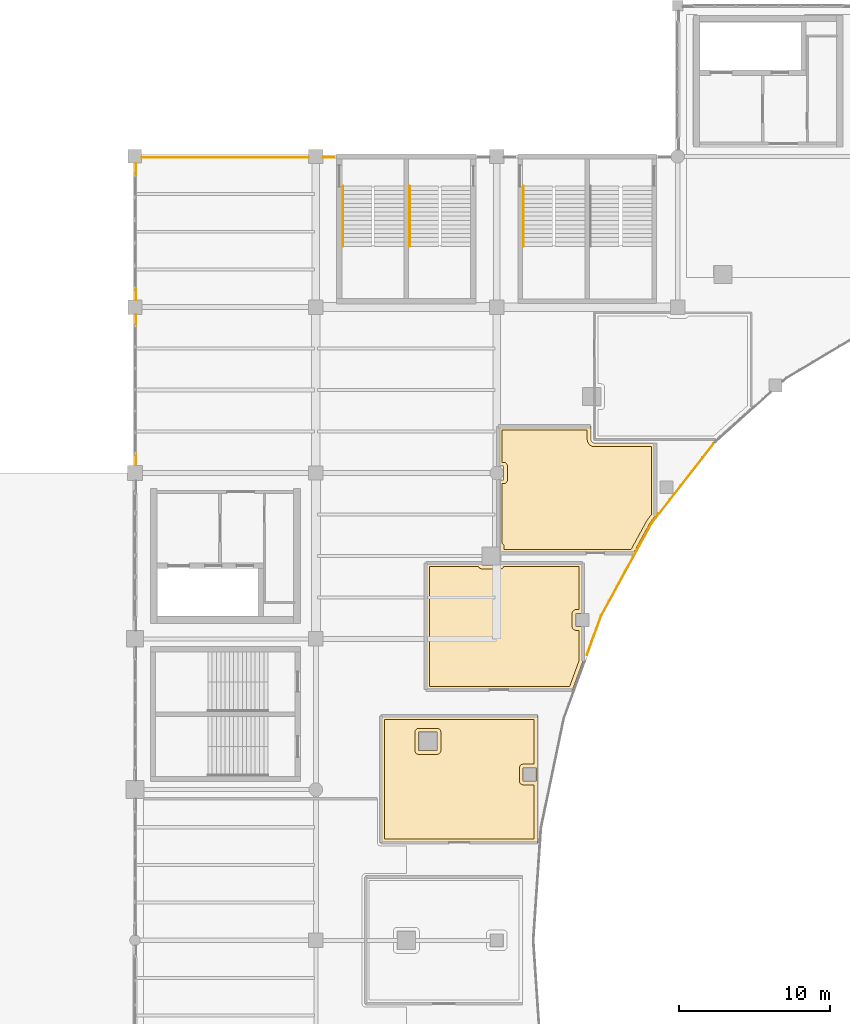
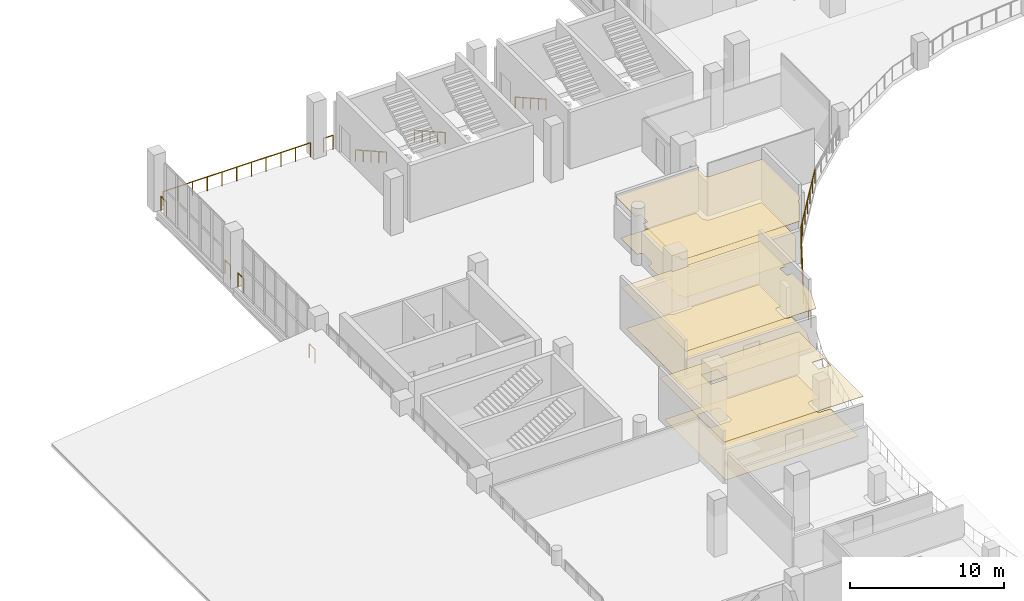
# One storey, part 83 of 90: 12 railings, 6 coverings.
"""IFC4 building model written with IfcOpenShell, lengths in metres."""

from ifc_helpers import new_model, si_unit, direction, frame, origin, origin_2d, place, context, subcontext, project, spatial, polyline, circle, outline, extrude, material, layer, layer_set, type_object, element, save


model = new_model("IFC4")

# Units and contexts
model_context = context("Model", 3, precision=1e-05, world=origin(), true_north=direction((0.0, 1.0)))
body_context = subcontext(model_context, "Body", "Model", "MODEL_VIEW")
ifc_project = project(units=[si_unit("LENGTHUNIT", "METRE"), si_unit("AREAUNIT", "SQUARE_METRE"), si_unit("VOLUMEUNIT", "CUBIC_METRE"), si_unit("PLANEANGLEUNIT", "RADIAN"), si_unit("MASSUNIT", "GRAM", prefix="KILO")], contexts=[model_context])

# Site, building, storey
site_placement = place(None, origin())
site = spatial("IfcSite", under=ifc_project, at=site_placement, CompositionType="ELEMENT")
building_placement = place(site_placement, origin())
building = spatial("IfcBuilding", under=site, at=building_placement, Name="Brinegate Civic Arena", CompositionType="ELEMENT")
storey_placement = place(building_placement, frame((0.0, 0.0, 14.699951171875)))
storey = spatial("IfcBuildingStorey", under=building, at=storey_placement, Name="L03", CompositionType="ELEMENT", Elevation=14.699951171875)

# Coverings
ifc_material_1 = material(Name="Acoustic perforated aluminium ceiling", Category="aluminium")
ifc_layer_1 = layer(ifc_material_1, 0.02490234375, Name="Acoustic perforated aluminium ceiling")
ifc_layer_set_1 = layer_set([ifc_layer_1], Name="Acoustic perforated aluminium ceiling")
covering_type_1 = type_object("IfcCoveringType", Name="CEILING-ACOUSTIC-25", PredefinedType="CEILING", material=ifc_layer_set_1)
covering_1_placement = place(storey_placement, frame((0.0, 0.0, 3.235107421875)))
element("IfcCovering", 1, at=covering_1_placement, inside=storey, type_object=covering_type_1, Name="Acoustic Ceiling L03-203", PredefinedType="CEILING", context=body_context, shape_type="SweptSolid", body=[
    extrude(outline(polyline([(67.278076171875, 87.027099609375), (67.279052734375, 87.029052734375), (67.280029296875, 87.031005859375), (67.280029296875, 87.031982421875), (67.281005859375, 87.033935546875), (67.282958984375, 87.035888671875), (67.283935546875, 87.037109375), (67.284912109375, 87.0380859375), (67.287109375, 87.0400390625), (67.2890625, 87.041015625), (67.2900390625, 87.041015625), (67.2919921875, 87.0419921875), (67.2939453125, 87.04296875), (67.2958984375, 87.04296875), (67.298095703125, 87.04296875), (71.01708984375, 87.04296875), (71.01708984375, 86.889892578125), (72.237060546875, 86.889892578125), (72.237060546875, 87.04296875), (77.697998046875, 87.04296875), (77.699951171875, 87.04296875), (77.701904296875, 87.04296875), (77.7041015625, 87.0419921875), (77.7060546875, 87.041015625), (77.70703125, 87.041015625), (77.708984375, 87.0400390625), (77.7109375, 87.0380859375), (77.7119140625, 87.037109375), (77.712890625, 87.035888671875), (77.715087890625, 87.033935546875), (77.716064453125, 87.031982421875), (77.716064453125, 87.031005859375), (77.717041015625, 87.029052734375), (77.718017578125, 87.027099609375), (77.718017578125, 87.02490234375), (77.718017578125, 87.02294921875), (77.718017578125, 83.68505859375), (77.25390625, 83.68505859375), (77.25390625, 82.81494140625), (77.718017578125, 82.81494140625), (77.718017578125, 80.534912109375), (77.718017578125, 80.532958984375), (77.718017578125, 80.531982421875), (77.717041015625, 80.530029296875), (77.717041015625, 80.528076171875), (77.02197265625, 78.615966796875), (77.02099609375, 78.614013671875), (77.02001953125, 78.613037109375), (77.01904296875, 78.611083984375), (77.01806640625, 78.60888671875), (77.01611328125, 78.60791015625), (77.013916015625, 78.60693359375), (77.012939453125, 78.60595703125), (77.010986328125, 78.60498046875), (77.009033203125, 78.60400390625), (77.007080078125, 78.60302734375), (77.0048828125, 78.60302734375), (77.0029296875, 78.60302734375), (67.298095703125, 78.60302734375), (67.2958984375, 78.60302734375), (67.2939453125, 78.60302734375), (67.2919921875, 78.60400390625), (67.2900390625, 78.60498046875), (67.2890625, 78.60498046875), (67.287109375, 78.60595703125), (67.284912109375, 78.60791015625), (67.283935546875, 78.60888671875), (67.282958984375, 78.610107421875), (67.281005859375, 78.612060546875), (67.280029296875, 78.614013671875), (67.280029296875, 78.614990234375), (67.279052734375, 78.616943359375), (67.278076171875, 78.618896484375), (67.278076171875, 78.62109375), (67.278076171875, 78.623046875), (67.278076171875, 87.02294921875), (67.278076171875, 87.02490234375), (67.278076171875, 87.027099609375)])), origin(), (0.0, 0.0, 1.0), 0.02490234375),
])
ifc_layer_2 = layer(ifc_material_1, 0.034912109375, Name="Acoustic perforated aluminium ceiling")
ifc_layer_set_2 = layer_set([ifc_layer_2], Name="Acoustic perforated aluminium ceiling")
covering_type_2 = type_object("IfcCoveringType", Name="CEILING-ACOUSTIC-35", PredefinedType="CEILING", material=ifc_layer_set_2)
covering_2_placement = place(storey_placement, frame((0.0, 0.0, 3.22509765625)))
element("IfcCovering", 2, at=covering_2_placement, inside=storey, type_object=covering_type_2, Name="Acoustic Ceiling L03-204", PredefinedType="CEILING", context=body_context, shape_type="SweptSolid", body=[
    extrude(outline(polyline([(74.716064453125, 76.905029296875), (74.718017578125, 76.904052734375), (74.719970703125, 76.903076171875), (74.720947265625, 76.903076171875), (74.722900390625, 76.902099609375), (74.72509765625, 76.89990234375), (74.72607421875, 76.89892578125), (74.72705078125, 76.89794921875), (74.72900390625, 76.89599609375), (74.72998046875, 76.89404296875), (74.72998046875, 76.89306640625), (74.73095703125, 76.89111328125), (74.73193359375, 76.888916015625), (74.73193359375, 76.886962890625), (74.73193359375, 76.885009765625), (74.73193359375, 68.485107421875), (74.73193359375, 68.48291015625), (74.73193359375, 68.48095703125), (74.73095703125, 68.47900390625), (74.72998046875, 68.47705078125), (74.72998046875, 68.47607421875), (74.72900390625, 68.47412109375), (74.72705078125, 68.471923828125), (74.72607421875, 68.470947265625), (74.72509765625, 68.469970703125), (74.722900390625, 68.468017578125), (74.720947265625, 68.467041015625), (74.719970703125, 68.467041015625), (74.718017578125, 68.466064453125), (74.716064453125, 68.465087890625), (74.714111328125, 68.465087890625), (74.7119140625, 68.465087890625), (64.31201171875, 68.465087890625), (64.31005859375, 68.465087890625), (64.30810546875, 68.465087890625), (64.305908203125, 68.466064453125), (64.303955078125, 68.467041015625), (64.302978515625, 68.467041015625), (64.301025390625, 68.468017578125), (64.299072265625, 68.469970703125), (64.298095703125, 68.470947265625), (64.297119140625, 68.471923828125), (64.294921875, 68.47412109375), (64.2939453125, 68.47607421875), (64.2939453125, 68.47705078125), (64.29296875, 68.47900390625), (64.2919921875, 68.48095703125), (64.2919921875, 68.48291015625), (64.2919921875, 68.485107421875), (64.2919921875, 76.885009765625), (64.2919921875, 76.886962890625), (64.2919921875, 76.888916015625), (64.29296875, 76.89111328125), (64.2939453125, 76.89306640625), (64.2939453125, 76.89404296875), (64.294921875, 76.89599609375), (64.297119140625, 76.89794921875), (64.298095703125, 76.89892578125), (64.299072265625, 76.89990234375), (64.301025390625, 76.902099609375), (64.302978515625, 76.903076171875), (64.303955078125, 76.903076171875), (64.305908203125, 76.904052734375), (64.30810546875, 76.905029296875), (64.31005859375, 76.905029296875), (64.31201171875, 76.905029296875), (74.7119140625, 76.905029296875), (74.714111328125, 76.905029296875), (74.716064453125, 76.905029296875)]), holes=[polyline([(66.821044921875, 75.81005859375), (66.821044921875, 74.590087890625), (68.041015625, 74.590087890625), (68.041015625, 75.81005859375), (66.821044921875, 75.81005859375)]), polyline([(73.758056640625, 73.43505859375), (73.758056640625, 72.56494140625), (74.6279296875, 72.56494140625), (74.6279296875, 73.43505859375), (73.758056640625, 73.43505859375)])]), origin(), (0.0, 0.0, 1.0), 0.034912109375),
])
ifc_layer_3 = layer(ifc_material_1, 0.01806640625, Name="Acoustic perforated aluminium ceiling")
ifc_layer_set_3 = layer_set([ifc_layer_3], Name="Acoustic perforated aluminium ceiling")
covering_type_3 = type_object("IfcCoveringType", Name="CEILING-MOISTURE-18", PredefinedType="CEILING", material=ifc_layer_set_3)
covering_3_placement = place(storey_placement, frame((0.0, 0.0, 3.241943359375)))
element("IfcCovering", 3, at=covering_3_placement, inside=storey, type_object=covering_type_3, Name="Acoustic Ceiling L03-202", PredefinedType="CEILING", context=body_context, shape_type="SweptSolid", body=[
    extrude(outline(polyline([(72.0830078125, 96.096923828125), (72.083984375, 96.09912109375), (72.0849609375, 96.10107421875), (72.0849609375, 96.10205078125), (72.0859375, 96.10400390625), (72.087890625, 96.10595703125), (72.089111328125, 96.10693359375), (72.090087890625, 96.10791015625), (72.092041015625, 96.110107421875), (72.093994140625, 96.111083984375), (72.094970703125, 96.111083984375), (72.096923828125, 96.112060546875), (72.09912109375, 96.113037109375), (72.10107421875, 96.113037109375), (72.10302734375, 96.113037109375), (78.23095703125, 96.113037109375), (78.23291015625, 96.113037109375), (78.235107421875, 96.113037109375), (78.237060546875, 96.112060546875), (78.239013671875, 96.111083984375), (78.239990234375, 96.111083984375), (78.241943359375, 96.110107421875), (78.243896484375, 96.10791015625), (78.2451171875, 96.10693359375), (78.24609375, 96.10595703125), (78.248046875, 96.10400390625), (78.2490234375, 96.10205078125), (78.2490234375, 96.10107421875), (78.25, 96.09912109375), (78.2509765625, 96.096923828125), (78.2509765625, 96.094970703125), (78.2509765625, 96.093017578125), (78.2509765625, 95.23193359375), (78.256103515625, 95.18505859375), (78.260986328125, 95.1640625), (78.279052734375, 95.1220703125), (78.303955078125, 95.0849609375), (78.3349609375, 95.052978515625), (78.35302734375, 95.0400390625), (78.3720703125, 95.029052734375), (78.4140625, 95.010986328125), (78.4580078125, 95.001953125), (78.48095703125, 95.0009765625), (82.5029296875, 95.0009765625), (82.5048828125, 95.0009765625), (82.507080078125, 95.0009765625), (82.509033203125, 95.0), (82.510986328125, 94.9990234375), (82.511962890625, 94.9990234375), (82.513916015625, 94.998046875), (82.51611328125, 94.99609375), (82.51708984375, 94.9951171875), (82.51806640625, 94.993896484375), (82.52001953125, 94.991943359375), (82.52099609375, 94.989990234375), (82.52099609375, 94.989013671875), (82.52197265625, 94.987060546875), (82.52294921875, 94.985107421875), (82.52294921875, 94.98291015625), (82.52294921875, 94.98095703125), (82.52294921875, 90.177001953125), (82.52294921875, 90.175048828125), (82.52294921875, 90.173095703125), (82.52197265625, 90.1708984375), (82.52197265625, 90.169921875), (82.52099609375, 90.16796875), (82.52001953125, 90.166015625), (82.51904296875, 90.1650390625), (82.196044921875, 89.7509765625), (82.178955078125, 89.72607421875), (81.06591796875, 87.68310546875), (81.06494140625, 87.681884765625), (81.06298828125, 87.679931640625), (81.06201171875, 87.678955078125), (81.06103515625, 87.677001953125), (81.05908203125, 87.676025390625), (81.056884765625, 87.675048828125), (81.055908203125, 87.674072265625), (81.053955078125, 87.674072265625), (81.052001953125, 87.673095703125), (81.050048828125, 87.673095703125), (81.048095703125, 87.673095703125), (72.237060546875, 87.673095703125), (72.237060546875, 88.110107421875), (72.0830078125, 88.110107421875), (72.0830078125, 92.5400390625), (72.4599609375, 92.5400390625), (72.4599609375, 93.4599609375), (72.0830078125, 93.4599609375), (72.0830078125, 96.093017578125), (72.0830078125, 96.094970703125), (72.0830078125, 96.096923828125)])), origin(), (0.0, 0.0, 1.0), 0.01806640625),
])
ifc_material_2 = material(Name="Polished coral terrazzo flooring")
ifc_layer_4 = layer(ifc_material_2, 0.013916015625, Name="Polished coral terrazzo flooring")
ifc_layer_set_4 = layer_set([ifc_layer_4], Name="Polished coral terrazzo flooring")
covering_type_4 = type_object("IfcCoveringType", Name="FLOORING-ACOUSTIC-14", PredefinedType="FLOORING", material=ifc_layer_set_4)
covering_4_placement = place(storey_placement, origin())
element("IfcCovering", 4, at=covering_4_placement, inside=storey, type_object=covering_type_4, Name="Flooring L03-202", PredefinedType="FLOORING", context=body_context, shape_type="SweptSolid", body=[
    extrude(outline(polyline([(72.3330078125, 95.863037109375), (78.0009765625, 95.863037109375), (78.0009765625, 95.23193359375), (78.001953125, 95.20703125), (78.007080078125, 95.159912109375), (78.012939453125, 95.125), (78.01806640625, 95.10400390625), (78.02392578125, 95.0849609375), (78.031005859375, 95.06689453125), (78.048095703125, 95.02490234375), (78.05810546875, 95.0048828125), (78.070068359375, 94.985107421875), (78.094970703125, 94.947021484375), (78.110107421875, 94.927001953125), (78.126953125, 94.907958984375), (78.157958984375, 94.8759765625), (78.18505859375, 94.85302734375), (78.202880859375, 94.840087890625), (78.22900390625, 94.822998046875), (78.248046875, 94.81201171875), (78.27490234375, 94.799072265625), (78.31689453125, 94.781005859375), (78.340087890625, 94.77294921875), (78.363037109375, 94.76611328125), (78.406982421875, 94.757080078125), (78.427978515625, 94.75390625), (78.447998046875, 94.751953125), (78.470947265625, 94.7509765625), (78.48095703125, 94.7509765625), (82.27294921875, 94.7509765625), (82.27294921875, 90.256103515625), (81.9990234375, 89.905029296875), (81.988037109375, 89.889892578125), (81.970947265625, 89.864013671875), (81.9599609375, 89.844970703125), (80.910888671875, 87.923095703125), (72.487060546875, 87.923095703125), (72.487060546875, 88.110107421875), (72.486083984375, 88.135009765625), (72.48193359375, 88.158935546875), (72.47607421875, 88.18310546875), (72.468017578125, 88.2060546875), (72.45703125, 88.22802734375), (72.445068359375, 88.2490234375), (72.429931640625, 88.26904296875), (72.4140625, 88.287109375), (72.39599609375, 88.302978515625), (72.3759765625, 88.318115234375), (72.35498046875, 88.330078125), (72.3330078125, 88.341064453125), (72.3330078125, 92.2900390625), (72.4599609375, 92.2900390625), (72.485107421875, 92.291015625), (72.509033203125, 92.294921875), (72.532958984375, 92.301025390625), (72.555908203125, 92.30908203125), (72.577880859375, 92.320068359375), (72.59912109375, 92.33203125), (72.618896484375, 92.346923828125), (72.636962890625, 92.363037109375), (72.653076171875, 92.381103515625), (72.66796875, 92.40087890625), (72.679931640625, 92.422119140625), (72.69091796875, 92.444091796875), (72.698974609375, 92.467041015625), (72.705078125, 92.490966796875), (72.708984375, 92.514892578125), (72.7099609375, 92.5400390625), (72.7099609375, 93.4599609375), (72.708984375, 93.485107421875), (72.705078125, 93.509033203125), (72.698974609375, 93.532958984375), (72.69091796875, 93.555908203125), (72.679931640625, 93.577880859375), (72.66796875, 93.59912109375), (72.653076171875, 93.618896484375), (72.636962890625, 93.636962890625), (72.618896484375, 93.653076171875), (72.59912109375, 93.66796875), (72.577880859375, 93.679931640625), (72.555908203125, 93.69091796875), (72.532958984375, 93.698974609375), (72.509033203125, 93.705078125), (72.485107421875, 93.708984375), (72.4599609375, 93.7099609375), (72.3330078125, 93.7099609375), (72.3330078125, 95.863037109375)])), origin(), (0.0, 0.0, 1.0), 0.01416015625),
])
covering_5_placement = place(storey_placement, origin())
element("IfcCovering", 5, at=covering_5_placement, inside=storey, type_object=covering_type_4, Name="Flooring L03-204", PredefinedType="FLOORING", context=body_context, shape_type="SweptSolid", body=[
    extrude(outline(polyline([(64.5419921875, 76.655029296875), (74.48193359375, 76.655029296875), (74.48193359375, 73.68505859375), (73.758056640625, 73.68505859375), (73.73291015625, 73.68408203125), (73.708984375, 73.679931640625), (73.68505859375, 73.674072265625), (73.662109375, 73.666015625), (73.639892578125, 73.655029296875), (73.618896484375, 73.64306640625), (73.59912109375, 73.6279296875), (73.5810546875, 73.612060546875), (73.56494140625, 73.593994140625), (73.550048828125, 73.573974609375), (73.5380859375, 73.552978515625), (73.527099609375, 73.531005859375), (73.51904296875, 73.508056640625), (73.512939453125, 73.48388671875), (73.509033203125, 73.4599609375), (73.508056640625, 73.43505859375), (73.508056640625, 72.56494140625), (73.509033203125, 72.5400390625), (73.512939453125, 72.51611328125), (73.51904296875, 72.491943359375), (73.527099609375, 72.468994140625), (73.5380859375, 72.447021484375), (73.550048828125, 72.426025390625), (73.56494140625, 72.406005859375), (73.5810546875, 72.387939453125), (73.59912109375, 72.3720703125), (73.618896484375, 72.35693359375), (73.639892578125, 72.344970703125), (73.662109375, 72.333984375), (73.68505859375, 72.325927734375), (73.708984375, 72.320068359375), (73.73291015625, 72.31591796875), (73.758056640625, 72.31494140625), (74.48193359375, 72.31494140625), (74.48193359375, 68.715087890625), (64.5419921875, 68.715087890625), (64.5419921875, 76.655029296875)]), holes=[polyline([(66.821044921875, 76.06005859375), (66.7958984375, 76.05908203125), (66.77197265625, 76.054931640625), (66.748046875, 76.049072265625), (66.72509765625, 76.041015625), (66.702880859375, 76.030029296875), (66.681884765625, 76.01806640625), (66.662109375, 76.0029296875), (66.64404296875, 75.987060546875), (66.6279296875, 75.968994140625), (66.613037109375, 75.948974609375), (66.60107421875, 75.927978515625), (66.590087890625, 75.906005859375), (66.58203125, 75.883056640625), (66.575927734375, 75.85888671875), (66.572021484375, 75.8349609375), (66.571044921875, 75.81005859375), (66.571044921875, 74.590087890625), (66.572021484375, 74.56494140625), (66.575927734375, 74.541015625), (66.58203125, 74.51708984375), (66.590087890625, 74.493896484375), (66.60107421875, 74.471923828125), (66.613037109375, 74.450927734375), (66.6279296875, 74.430908203125), (66.64404296875, 74.4130859375), (66.662109375, 74.39697265625), (66.681884765625, 74.382080078125), (66.702880859375, 74.3701171875), (66.72509765625, 74.35888671875), (66.748046875, 74.35107421875), (66.77197265625, 74.344970703125), (66.7958984375, 74.341064453125), (66.821044921875, 74.340087890625), (68.041015625, 74.340087890625), (68.06591796875, 74.341064453125), (68.090087890625, 74.344970703125), (68.114013671875, 74.35107421875), (68.136962890625, 74.35888671875), (68.158935546875, 74.3701171875), (68.179931640625, 74.382080078125), (68.199951171875, 74.39697265625), (68.218017578125, 74.4130859375), (68.23388671875, 74.430908203125), (68.2490234375, 74.450927734375), (68.260986328125, 74.471923828125), (68.27197265625, 74.493896484375), (68.280029296875, 74.51708984375), (68.285888671875, 74.541015625), (68.2900390625, 74.56494140625), (68.291015625, 74.590087890625), (68.291015625, 75.81005859375), (68.2900390625, 75.8349609375), (68.285888671875, 75.85888671875), (68.280029296875, 75.883056640625), (68.27197265625, 75.906005859375), (68.260986328125, 75.927978515625), (68.2490234375, 75.948974609375), (68.23388671875, 75.968994140625), (68.218017578125, 75.987060546875), (68.199951171875, 76.0029296875), (68.179931640625, 76.01806640625), (68.158935546875, 76.030029296875), (68.136962890625, 76.041015625), (68.114013671875, 76.049072265625), (68.090087890625, 76.054931640625), (68.06591796875, 76.05908203125), (68.041015625, 76.06005859375), (66.821044921875, 76.06005859375)])]), origin(), (0.0, 0.0, 1.0), 0.01416015625),
])
ifc_layer_5 = layer(ifc_material_2, 0.028076171875, Name="Polished coral terrazzo flooring")
ifc_layer_set_5 = layer_set([ifc_layer_5], Name="Polished coral terrazzo flooring")
covering_type_5 = type_object("IfcCoveringType", Name="FLOORING-TERRAZZO-28", PredefinedType="FLOORING", material=ifc_layer_set_5)
covering_6_placement = place(storey_placement, origin())
element("IfcCovering", 6, at=covering_6_placement, inside=storey, type_object=covering_type_5, Name="Flooring L03-203", PredefinedType="FLOORING", context=body_context, shape_type="SweptSolid", body=[
    extrude(outline(polyline([(67.528076171875, 78.85302734375), (67.528076171875, 86.79296875), (70.787109375, 86.79296875), (70.797119140625, 86.77197265625), (70.80908203125, 86.7509765625), (70.823974609375, 86.73095703125), (70.840087890625, 86.712890625), (70.85791015625, 86.697021484375), (70.8779296875, 86.681884765625), (70.89892578125, 86.669921875), (70.9208984375, 86.658935546875), (70.944091796875, 86.65087890625), (70.968017578125, 86.64501953125), (70.991943359375, 86.64111328125), (71.01708984375, 86.639892578125), (72.237060546875, 86.639892578125), (72.261962890625, 86.64111328125), (72.285888671875, 86.64501953125), (72.31005859375, 86.65087890625), (72.3330078125, 86.658935546875), (72.35498046875, 86.669921875), (72.3759765625, 86.681884765625), (72.39599609375, 86.697021484375), (72.4140625, 86.712890625), (72.429931640625, 86.73095703125), (72.445068359375, 86.7509765625), (72.45703125, 86.77197265625), (72.467041015625, 86.79296875), (77.468017578125, 86.79296875), (77.468017578125, 83.93505859375), (77.25390625, 83.93505859375), (77.22900390625, 83.93408203125), (77.205078125, 83.929931640625), (77.180908203125, 83.924072265625), (77.157958984375, 83.916015625), (77.135986328125, 83.905029296875), (77.114990234375, 83.89306640625), (77.094970703125, 83.8779296875), (77.076904296875, 83.862060546875), (77.06103515625, 83.843994140625), (77.0458984375, 83.823974609375), (77.033935546875, 83.802978515625), (77.02294921875, 83.781005859375), (77.014892578125, 83.758056640625), (77.009033203125, 83.73388671875), (77.0048828125, 83.7099609375), (77.00390625, 83.68505859375), (77.00390625, 82.81494140625), (77.0048828125, 82.7900390625), (77.009033203125, 82.76611328125), (77.014892578125, 82.741943359375), (77.02294921875, 82.718994140625), (77.033935546875, 82.697021484375), (77.0458984375, 82.676025390625), (77.06103515625, 82.656005859375), (77.076904296875, 82.637939453125), (77.094970703125, 82.6220703125), (77.114990234375, 82.60693359375), (77.135986328125, 82.594970703125), (77.157958984375, 82.583984375), (77.180908203125, 82.575927734375), (77.205078125, 82.570068359375), (77.22900390625, 82.56591796875), (77.25390625, 82.56494140625), (77.468017578125, 82.56494140625), (77.468017578125, 80.575927734375), (76.842041015625, 78.85302734375), (67.528076171875, 78.85302734375)])), origin(), (0.0, 0.0, 1.0), 0.028076171875),
])

# Railings
ifc_material_3 = material(Name="Architectural stainless steel balustrade", Category="steel")
railing_type_1 = type_object("IfcRailingType", Name="RAIL-STAIR-HANDRAIL-900", PredefinedType="HANDRAIL", material=ifc_material_3)
for number, where, name in (
    (7, (61.804931640625, 108.0400390625, 2.25), "Stair Pitch Handrail ST-01A L03"),
    (8, (66.22509765625, 108.0400390625, 2.25), "Stair Pitch Handrail ST-01B L03"),
    (9, (73.77490234375, 108.0400390625, 2.25), "Stair Pitch Handrail ST-11A L03"),
):
    element("IfcRailing", number, at=place(storey_placement, frame(where)), inside=storey, type_object=railing_type_1, Name=name, PredefinedType="HANDRAIL", context=body_context, shape_type="SweptSolid", body=[
        extrude(circle(Radius=0.02392578125, at=origin_2d()), frame((0.0, 0.001220703125, 0.875), z_axis=(0.0, 0.871049806155, -0.491194701923), x_axis=(-1.0, 0.0, 0.0)), (0.0, 0.0, 1.0), 4.57763671875),
        extrude(circle(Radius=0.02099609375, at=origin_2d()), origin(), (0.0, 0.0, 1.0), 0.849853515625),
        extrude(circle(Radius=0.02099609375, at=origin_2d()), frame((0.0, 0.99755859375, -0.5625)), (0.0, 0.0, 1.0), 0.849853515625),
        extrude(circle(Radius=0.02099609375, at=origin_2d()), frame((0.0, 1.9951171875, -1.125)), (0.0, 0.0, 1.0), 0.849853515625),
        extrude(circle(Radius=0.02099609375, at=origin_2d()), frame((0.0, 2.992431640625, -1.6875)), (0.0, 0.0, 1.0), 0.849853515625),
        extrude(circle(Radius=0.02099609375, at=origin_2d()), frame((0.0, 3.989990234375, -2.25)), (0.0, 0.0, 1.0), 0.849853515625),
    ])
railing_type_2 = type_object("IfcRailingType", Name="RAIL-VOID-BALUSTRADE-1120", PredefinedType="BALUSTRADE", material=ifc_material_3)
railing_1_placement = place(storey_placement, frame((48.070068359375, 93.52001953125, 0.0)))
element("IfcRailing", 10, at=railing_1_placement, inside=storey, type_object=railing_type_2, Name="Deck Edge Balustrade L03-226", PredefinedType="BALUSTRADE", context=body_context, shape_type="SweptSolid", body=[
    extrude(circle(Radius=0.02392578125, at=origin_2d()), frame((0.0, 0.00146484375, 1.09619140625), z_axis=(0.0, 1.0, 0.0), x_axis=(-1.0, 0.0, 0.0)), (0.0, 0.0, 1.0), 0.734130859375),
    extrude(circle(Radius=0.02099609375, at=origin_2d()), origin(), (0.0, 0.0, 1.0), 1.070068359375),
    extrude(circle(Radius=0.02099609375, at=origin_2d()), frame((0.0, 0.737060546875, 0.0)), (0.0, 0.0, 1.0), 1.070068359375),
])
for number, where, name in (
    (11, (48.070068359375, 102.778076171875, 0.0), "Deck Edge Balustrade L03-227"),
    (12, (48.070068359375, 104.4951171875, 0.0), "Deck Edge Balustrade L03-228"),
):
    element("IfcRailing", number, at=place(storey_placement, frame(where)), inside=storey, type_object=railing_type_2, Name=name, PredefinedType="BALUSTRADE", context=body_context, shape_type="SweptSolid", body=[
        extrude(circle(Radius=0.02392578125, at=origin_2d()), frame((0.0, 0.00146484375, 1.09619140625), z_axis=(0.0, 1.0, 0.0), x_axis=(-1.0, 0.0, 0.0)), (0.0, 0.0, 1.0), 0.723876953125),
        extrude(circle(Radius=0.02099609375, at=origin_2d()), origin(), (0.0, 0.0, 1.0), 1.070068359375),
        extrude(circle(Radius=0.02099609375, at=origin_2d()), frame((0.0, 0.726806640625, 0.0)), (0.0, 0.0, 1.0), 1.070068359375),
    ])
railing_2_placement = place(storey_placement, frame((48.070068359375, 112.81396484375, 0.0)))
element("IfcRailing", 13, at=railing_2_placement, inside=storey, type_object=railing_type_2, Name="Deck Edge Balustrade L03-229", PredefinedType="BALUSTRADE", context=body_context, shape_type="SweptSolid", body=[
    extrude(circle(Radius=0.02392578125, at=origin_2d()), frame((0.0, 0.00146484375, 1.09619140625), z_axis=(0.0, 1.0, 0.0), x_axis=(-1.0, 0.0, 0.0)), (0.0, 0.0, 1.0), 0.713134765625),
    extrude(circle(Radius=0.02099609375, at=origin_2d()), origin(), (0.0, 0.0, 1.0), 1.070068359375),
    extrude(circle(Radius=0.02099609375, at=origin_2d()), frame((0.0, 0.716064453125, 0.0)), (0.0, 0.0, 1.0), 1.070068359375),
])
railing_3_placement = place(storey_placement, frame((48.469970703125, 113.929931640625, 0.0)))
element("IfcRailing", 14, at=railing_3_placement, inside=storey, type_object=railing_type_2, Name="Deck Edge Balustrade L03-230", PredefinedType="BALUSTRADE", context=body_context, shape_type="SweptSolid", body=[
    extrude(circle(Radius=0.02392578125, at=origin_2d()), frame((0.00146484375, 0.0, 1.09619140625), z_axis=(1.0, 0.0, 0.0), x_axis=(0.0, 1.0, 0.0)), (0.0, 0.0, 1.0), 11.031982421875),
    extrude(circle(Radius=0.02099609375, at=origin_2d()), origin(), (0.0, 0.0, 1.0), 1.070068359375),
    extrude(circle(Radius=0.02099609375, at=origin_2d()), frame((1.103515625, 0.0, 0.0)), (0.0, 0.0, 1.0), 1.070068359375),
    extrude(circle(Radius=0.02099609375, at=origin_2d()), frame((2.20703125, 0.0, 0.0)), (0.0, 0.0, 1.0), 1.070068359375),
    extrude(circle(Radius=0.02099609375, at=origin_2d()), frame((3.310546875, 0.0, 0.0)), (0.0, 0.0, 1.0), 1.070068359375),
    extrude(circle(Radius=0.02099609375, at=origin_2d()), frame((4.4140625, 0.0, 0.0)), (0.0, 0.0, 1.0), 1.070068359375),
    extrude(circle(Radius=0.02099609375, at=origin_2d()), frame((5.517578125, 0.0, 0.0)), (0.0, 0.0, 1.0), 1.070068359375),
    extrude(circle(Radius=0.02099609375, at=origin_2d()), frame((6.620849609375, 0.0, 0.0)), (0.0, 0.0, 1.0), 1.070068359375),
    extrude(circle(Radius=0.02099609375, at=origin_2d()), frame((7.724365234375, 0.0, 0.0)), (0.0, 0.0, 1.0), 1.070068359375),
    extrude(circle(Radius=0.02099609375, at=origin_2d()), frame((8.827880859375, 0.0, 0.0)), (0.0, 0.0, 1.0), 1.070068359375),
    extrude(circle(Radius=0.02099609375, at=origin_2d()), frame((9.931396484375, 0.0, 0.0)), (0.0, 0.0, 1.0), 1.070068359375),
    extrude(circle(Radius=0.02099609375, at=origin_2d()), frame((11.034912109375, 0.0, 0.0)), (0.0, 0.0, 1.0), 1.070068359375),
])
railing_4_placement = place(storey_placement, frame((60.4951171875, 113.929931640625, 0.0)))
element("IfcRailing", 15, at=railing_4_placement, inside=storey, type_object=railing_type_2, Name="Deck Edge Balustrade L03-231", PredefinedType="BALUSTRADE", context=body_context, shape_type="SweptSolid", body=[
    extrude(circle(Radius=0.02392578125, at=origin_2d()), frame((0.00146484375, 0.0, 1.09619140625), z_axis=(1.0, 0.0, 0.0), x_axis=(0.0, 1.0, 0.0)), (0.0, 0.0, 1.0), 0.701904296875),
    extrude(circle(Radius=0.02099609375, at=origin_2d()), origin(), (0.0, 0.0, 1.0), 1.070068359375),
    extrude(circle(Radius=0.02099609375, at=origin_2d()), frame((0.704833984375, 0.0, 0.0)), (0.0, 0.0, 1.0), 1.070068359375),
])
railing_5_placement = place(storey_placement, frame((86.386962890625, 94.950927734375, 0.0)))
element("IfcRailing", 16, at=railing_5_placement, inside=storey, type_object=railing_type_2, Name="Deck Edge Balustrade L03-313", PredefinedType="BALUSTRADE", context=body_context, shape_type="SweptSolid", body=[
    extrude(circle(Radius=0.02392578125, at=origin_2d()), frame((-0.0009765625, -0.001220703125, 1.09619140625), z_axis=(-0.614580272667, -0.788854288477, 0.0), x_axis=(0.788854288477, -0.614580272667, 0.0)), (0.0, 0.0, 1.0), 5.861083984375),
    extrude(circle(Radius=0.02099609375, at=origin_2d()), origin(), (0.0, 0.0, 1.0), 1.070068359375),
    extrude(circle(Radius=0.02099609375, at=origin_2d()), frame((-0.720703125, -0.92529296875, 0.0)), (0.0, 0.0, 1.0), 1.070068359375),
    extrude(circle(Radius=0.02099609375, at=origin_2d()), frame((-1.441650390625, -1.850341796875, 0.0)), (0.0, 0.0, 1.0), 1.070068359375),
    extrude(circle(Radius=0.02099609375, at=origin_2d()), frame((-2.162353515625, -2.775634765625, 0.0)), (0.0, 0.0, 1.0), 1.070068359375),
    extrude(circle(Radius=0.02099609375, at=origin_2d()), frame((-2.88330078125, -3.70068359375, 0.0)), (0.0, 0.0, 1.0), 1.070068359375),
    extrude(circle(Radius=0.02099609375, at=origin_2d()), frame((-3.60400390625, -4.6259765625, 0.0)), (0.0, 0.0, 1.0), 1.070068359375),
])
railing_6_placement = place(storey_placement, frame((82.66796875, 90.177001953125, 0.0)))
element("IfcRailing", 17, at=railing_6_placement, inside=storey, type_object=railing_type_2, Name="Deck Edge Balustrade L03-314", PredefinedType="BALUSTRADE", context=body_context, shape_type="SweptSolid", body=[
    extrude(circle(Radius=0.02392578125, at=origin_2d()), frame((-0.0009765625, -0.001220703125, 1.09619140625), z_axis=(-0.614803928423, -0.788679991883, 0.0), x_axis=(0.788679991883, -0.614803928423, 0.0)), (0.0, 0.0, 1.0), 0.623291015625),
    extrude(circle(Radius=0.02392578125, at=origin_2d()), frame((-0.3857421875, -0.4951171875, 1.09619140625), z_axis=(-0.479330118599, -0.877634683342, 0.0), x_axis=(0.877634683342, -0.479330118599, 0.0)), (0.0, 0.0, 1.0), 2.5732421875),
    extrude(circle(Radius=0.02099609375, at=origin_2d()), origin(), (0.0, 0.0, 1.0), 1.070068359375),
    extrude(circle(Radius=0.02099609375, at=origin_2d()), frame((-0.385009765625, -0.493896484375, 0.0)), (0.0, 0.0, 1.0), 1.070068359375),
    extrude(circle(Radius=0.02099609375, at=origin_2d()), frame((-0.796630859375, -1.24755859375, 0.0)), (0.0, 0.0, 1.0), 1.070068359375),
    extrude(circle(Radius=0.02099609375, at=origin_2d()), frame((-1.208251953125, -2.001220703125, 0.0)), (0.0, 0.0, 1.0), 1.070068359375),
    extrude(circle(Radius=0.02099609375, at=origin_2d()), frame((-1.619873046875, -2.7548828125, 0.0)), (0.0, 0.0, 1.0), 1.070068359375),
])
railing_7_placement = place(storey_placement, frame((81.04296875, 87.4130859375, 0.0)))
element("IfcRailing", 18, at=railing_7_placement, inside=storey, type_object=railing_type_2, Name="Deck Edge Balustrade L03-315", PredefinedType="BALUSTRADE", context=body_context, shape_type="SweptSolid", body=[
    extrude(circle(Radius=0.02392578125, at=origin_2d()), frame((-0.000732421875, -0.001220703125, 1.09619140625), z_axis=(-0.478863743987, -0.877889238284, 0.0), x_axis=(0.877889238284, -0.478863743987, 0.0)), (0.0, 0.0, 1.0), 4.415771484375),
    extrude(circle(Radius=0.02392578125, at=origin_2d()), frame((-2.116455078125, -3.880615234375, 1.09619140625), z_axis=(-0.341834856086, -0.93976003914, 0.0), x_axis=(0.93976003914, -0.341834856086, 0.0)), (0.0, 0.0, 1.0), 2.773193359375),
    extrude(circle(Radius=0.02099609375, at=origin_2d()), origin(), (0.0, 0.0, 1.0), 1.070068359375),
    extrude(circle(Radius=0.02099609375, at=origin_2d()), frame((-0.529052734375, -0.9697265625, 0.0)), (0.0, 0.0, 1.0), 1.070068359375),
    extrude(circle(Radius=0.02099609375, at=origin_2d()), frame((-1.05810546875, -1.939453125, 0.0)), (0.0, 0.0, 1.0), 1.070068359375),
    extrude(circle(Radius=0.02099609375, at=origin_2d()), frame((-1.5869140625, -2.909423828125, 0.0)), (0.0, 0.0, 1.0), 1.070068359375),
    extrude(circle(Radius=0.02099609375, at=origin_2d()), frame((-2.115966796875, -3.879150390625, 0.0)), (0.0, 0.0, 1.0), 1.070068359375),
    extrude(circle(Radius=0.02099609375, at=origin_2d()), frame((-2.432373046875, -4.748779296875, 0.0)), (0.0, 0.0, 1.0), 1.070068359375),
    extrude(circle(Radius=0.02099609375, at=origin_2d()), frame((-2.74853515625, -5.618408203125, 0.0)), (0.0, 0.0, 1.0), 1.070068359375),
    extrude(circle(Radius=0.02099609375, at=origin_2d()), frame((-3.06494140625, -6.488037109375, 0.0)), (0.0, 0.0, 1.0), 1.070068359375),
])

save(model, "model.ifc")
